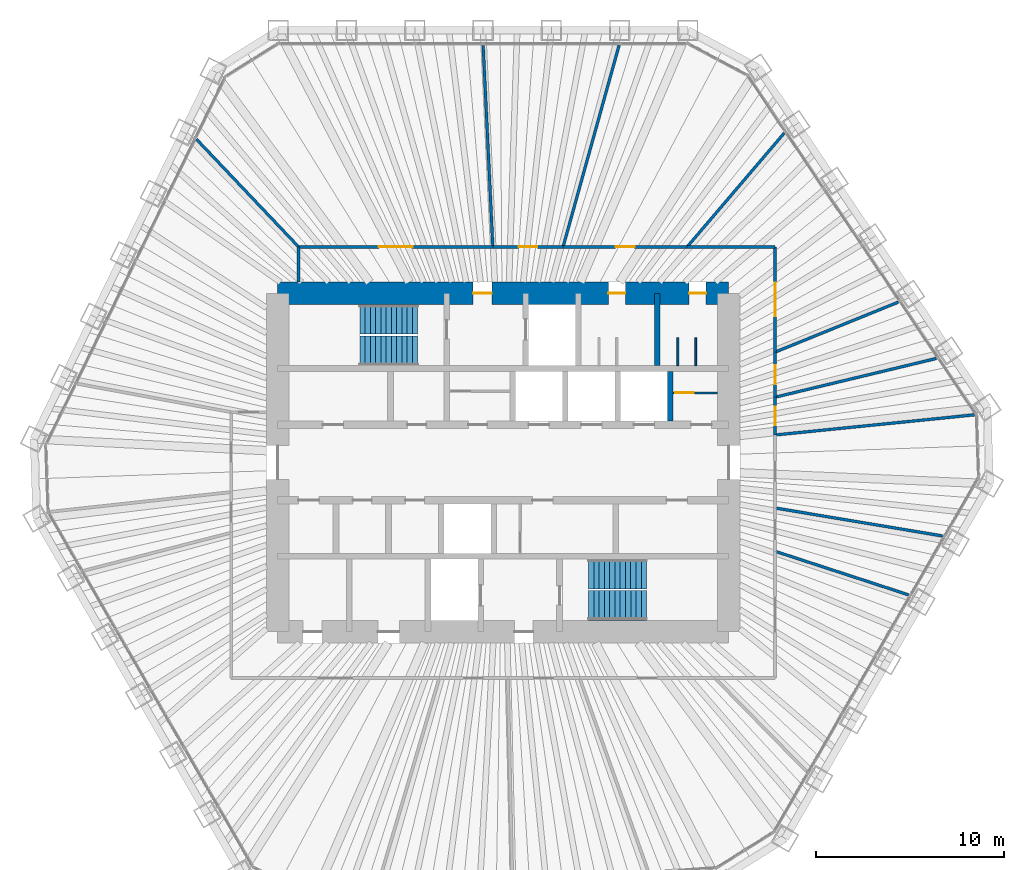
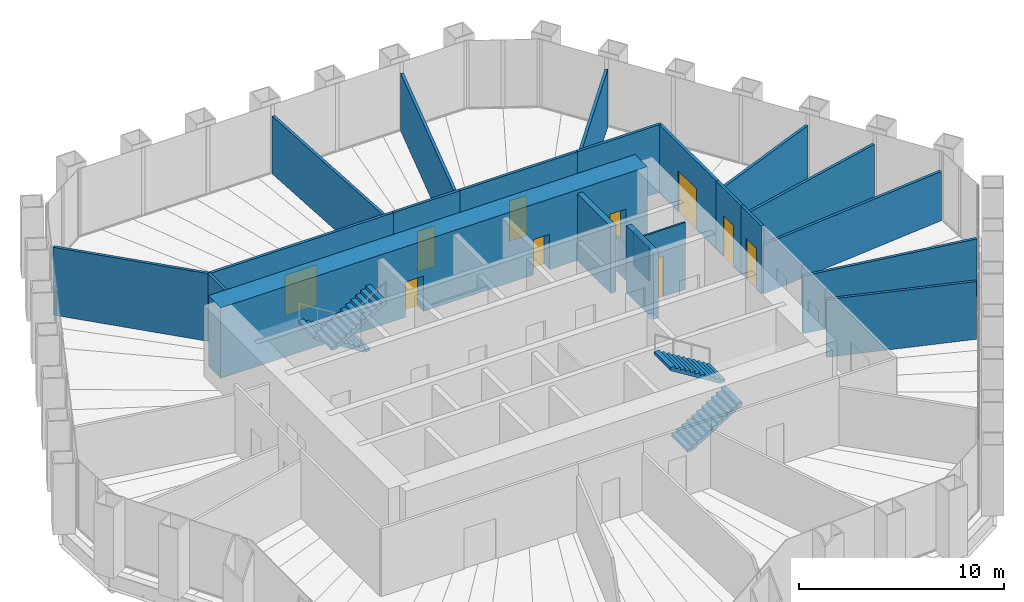
# One storey, part 12 of 13: 23 walls, 10 doors, 4 stair flights, 10 openings, 2 elements without a shape of their own.
"""IFC4 building model written with IfcOpenShell, lengths in metres."""

from ifc_helpers import new_model, si_unit, direction, frame, frame_2d, origin, place, context, subcontext, project, spatial, polyline, rectangle, outline, extrude, material, layer, layer_set, type_object, element, fill, aggregate, save


model = new_model("IFC4")

# Units and contexts
model_context = context("Model", 3, precision=1e-05, world=origin(), true_north=direction((0.0, 1.0)))
body_context = subcontext(model_context, "Body", "Model", "MODEL_VIEW")
ifc_project = project(units=[si_unit("LENGTHUNIT", "METRE"), si_unit("AREAUNIT", "SQUARE_METRE"), si_unit("VOLUMEUNIT", "CUBIC_METRE"), si_unit("PLANEANGLEUNIT", "RADIAN"), si_unit("MASSUNIT", "GRAM", prefix="KILO")], contexts=[model_context])

# Site, building, storey
site_placement = place(None, origin())
site = spatial("IfcSite", under=ifc_project, at=site_placement, CompositionType="ELEMENT")
building_placement = place(site_placement, origin())
building = spatial("IfcBuilding", under=site, at=building_placement, Name="Qingtian Harvest Tower", CompositionType="ELEMENT")
storey_placement = place(building_placement, frame((0.0, 0.0, 209.800048828125)))
storey = spatial("IfcBuildingStorey", under=building, at=storey_placement, Name="L45", CompositionType="ELEMENT", Elevation=209.800048828125)

# Walls
ifc_material_1 = material(Name="Precast concrete shaft panel", Category="concrete")
ifc_layer_1 = layer(ifc_material_1, 0.300048828125)
ifc_layer_set_1 = layer_set([ifc_layer_1], Name="Core shaft partition SW1 300")
wall_type_1 = type_object("IfcWallType", Name="Core shaft partition SW1 300", PredefinedType="PARTITIONING", material=ifc_layer_set_1)
wall_1_placement = place(storey_placement, frame((8.199951171875, 5.14990234375, 0.0), z_axis=(0.0, 0.0, 1.0), x_axis=(0.0, 1.0, 0.0)))
element("IfcWall", 1, at=wall_1_placement, inside=storey, type_object=wall_type_1, Name="Core shaft partition XN4 L45", PredefinedType="PARTITIONING", context=body_context, shape_type="SweptSolid", body=[
    extrude(rectangle(XDim=3.85009765625, YDim=0.300048828125, at=frame_2d((1.925048828125, 0.0))), origin(), (0.0, 0.0, 1.0), 3.97998046875),
])
wall_2_placement = place(storey_placement, frame((8.89990234375, 2.199951171875, 0.0), z_axis=(0.0, 0.0, 1.0), x_axis=(0.0, 1.0, 0.0)))
element("IfcWall", 2, at=wall_2_placement, inside=storey, type_object=wall_type_1, Name="Core shaft partition XA6 L45", PredefinedType="PARTITIONING", context=body_context, shape_type="SweptSolid", body=[
    extrude(rectangle(XDim=2.650146484375, YDim=0.300048828125, at=frame_2d((1.3251953125, 0.0))), origin(), (0.0, 0.0, 1.0), 3.97998046875),
])

# Wall, openings, doors
ifc_material_2 = material(Name="Concrete fc' 70 MPa", Category="concrete")
ifc_layer_2 = layer(ifc_material_2, 1.199951171875)
ifc_layer_set_2 = layer_set([ifc_layer_2], Name="Core wall RC2 1200")
wall_type_2 = type_object("IfcWallType", Name="Core wall RC2 1200", PredefinedType="SHEAR", material=ifc_layer_set_2)
wall_3_placement = place(storey_placement, frame((-12.0, 9.0, 0.0), z_axis=(0.0, 0.0, 1.0), x_axis=(1.0, 0.0, 0.0)))
wall_3 = element("IfcWall", 3, at=wall_3_placement, inside=storey, type_object=wall_type_2, Name="Core wall CN L45", PredefinedType="SHEAR", context=body_context, shape_type="SweptSolid", body=[
    extrude(rectangle(XDim=24.0, YDim=1.199951171875, at=frame_2d((12.0, 0.0))), origin(), (0.0, 0.0, 1.0), 4.199951171875),
])
opening_1_placement = place(wall_3_placement, frame((10.39990234375, 0.0, 0.0)))
opening_1 = element("IfcOpeningElement", 4, at=opening_1_placement, cuts=wall_3, Name="Opening FD1", PredefinedType="OPENING", context=body_context, shape_type="SweptSolid", body=[
    extrude(rectangle(XDim=1.0, YDim=2.10009765625, at=frame_2d((0.5, 1.050048828125))), frame((0.0, 0.60986328125, 0.0), z_axis=(0.0, -1.0, 0.0), x_axis=(1.0, 0.0, 0.0)), (0.0, 0.0, 1.0), 1.219970703125),
])
opening_2_placement = place(wall_3_placement, frame((17.60009765625, 0.0, 0.0)))
opening_2 = element("IfcOpeningElement", 5, at=opening_2_placement, cuts=wall_3, Name="Opening D1", PredefinedType="OPENING", context=body_context, shape_type="SweptSolid", body=[
    extrude(rectangle(XDim=0.89990234375, YDim=2.10009765625, at=frame_2d((0.449951171875, 1.050048828125))), frame((0.0, 0.60986328125, 0.0), z_axis=(0.0, -1.0, 0.0), x_axis=(1.0, 0.0, 0.0)), (0.0, 0.0, 1.0), 1.219970703125),
])
opening_3_placement = place(wall_3_placement, frame((21.89990234375, 0.0, 0.0)))
opening_3 = element("IfcOpeningElement", 6, at=opening_3_placement, cuts=wall_3, Name="Opening D1", PredefinedType="OPENING", context=body_context, shape_type="SweptSolid", body=[
    extrude(rectangle(XDim=0.89990234375, YDim=2.10009765625, at=frame_2d((0.449951171875, 1.050048828125))), frame((0.0, 0.60986328125, 0.0), z_axis=(0.0, -1.0, 0.0), x_axis=(1.0, 0.0, 0.0)), (0.0, 0.0, 1.0), 1.219970703125),
])
ifc_material_3 = material(Name="Steel-faced door leaf", Category="steel")
door_type_1 = type_object("IfcDoorType", Name="Fire door FD1 single 1 HR", OperationType="SINGLE_SWING_LEFT", PredefinedType="DOOR", material=ifc_material_3)
door_1_placement = place(opening_1_placement, origin())
door_1 = element("IfcDoor", 7, at=door_1_placement, inside=storey, type_object=door_type_1, Name="V1 door L45", OperationType="SINGLE_SWING_LEFT", OverallHeight=2.10009765625, OverallWidth=1.0, PredefinedType="DOOR", context=body_context, shape_type="SweptSolid", body=[
    extrude(rectangle(XDim=1.0, YDim=2.10009765625, at=frame_2d((0.5, 1.050048828125))), frame((0.0, 0.02490234375, 0.0), z_axis=(0.0, -1.0, 0.0), x_axis=(1.0, 0.0, 0.0)), (0.0, 0.0, 1.0), 0.050048828125),
])
fill(opening_1, door_1)
ifc_material_4 = material(Name="Laminated timber door leaf", Category="wood")
door_type_2 = type_object("IfcDoorType", Name="Toilet door D1 single", OperationType="SINGLE_SWING_LEFT", PredefinedType="DOOR", material=ifc_material_4)
door_2_placement = place(opening_2_placement, origin())
door_2 = element("IfcDoor", 8, at=door_2_placement, inside=storey, type_object=door_type_2, Name="WCM door L45", OperationType="SINGLE_SWING_LEFT", OverallHeight=2.10009765625, OverallWidth=0.89990234375, PredefinedType="DOOR", context=body_context, shape_type="SweptSolid", body=[
    extrude(rectangle(XDim=0.89990234375, YDim=2.10009765625, at=frame_2d((0.449951171875, 1.050048828125))), frame((0.0, 0.02490234375, 0.0), z_axis=(0.0, -1.0, 0.0), x_axis=(1.0, 0.0, 0.0)), (0.0, 0.0, 1.0), 0.050048828125),
])
fill(opening_2, door_2)
door_3_placement = place(opening_3_placement, origin())
door_3 = element("IfcDoor", 9, at=door_3_placement, inside=storey, type_object=door_type_2, Name="WCF door L45", OperationType="SINGLE_SWING_LEFT", OverallHeight=2.10009765625, OverallWidth=0.89990234375, PredefinedType="DOOR", context=body_context, shape_type="SweptSolid", body=[
    extrude(rectangle(XDim=0.89990234375, YDim=2.10009765625, at=frame_2d((0.449951171875, 1.050048828125))), frame((0.0, 0.02490234375, 0.0), z_axis=(0.0, -1.0, 0.0), x_axis=(1.0, 0.0, 0.0)), (0.0, 0.0, 1.0), 0.050048828125),
])
fill(opening_3, door_3)

# Walls
ifc_material_5 = material(Name="Gypsum board on steel studs", Category="steel")
ifc_layer_3 = layer(ifc_material_5, 0.14990234375)
ifc_layer_set_3 = layer_set([ifc_layer_3], Name="Partition PT1 150")
wall_type_3 = type_object("IfcWallType", Name="Partition PT1 150", PredefinedType="PARTITIONING", material=ifc_layer_set_3)
wall_4_placement = place(storey_placement, frame((-10.888671875, 9.60009765625, 0.0), z_axis=(0.0, 0.0, 1.0), x_axis=(0.0, 1.0, 0.0)))
element("IfcWall", 10, at=wall_4_placement, inside=storey, type_object=wall_type_3, Name="Workplace zone wall L45", PredefinedType="PARTITIONING", context=body_context, shape_type="SweptSolid", body=[
    extrude(rectangle(XDim=1.875, YDim=0.14990234375, at=frame_2d((0.9375, 0.0))), origin(), (0.0, 0.0, 1.0), 4.030029296875),
])
wall_5_placement = place(storey_placement, frame((-16.31884765625, 17.19775390625, 0.0), z_axis=(0.0, 0.0, 1.0), x_axis=(0.688326413955, -0.725401094466, 0.0)))
element("IfcWall", 11, at=wall_5_placement, inside=storey, type_object=wall_type_3, Name="Meeting room wall L45", PredefinedType="PARTITIONING", context=body_context, shape_type="SweptSolid", body=[
    extrude(rectangle(XDim=7.888916015625, YDim=0.14990234375, at=frame_2d((3.9443359375, 0.0))), origin(), (0.0, 0.0, 1.0), 4.030029296875),
])

# Wall, opening, door
wall_6_placement = place(storey_placement, frame((-10.888671875, 11.47509765625, 0.0), z_axis=(0.0, 0.0, 1.0), x_axis=(1.0, 0.0, 0.0)))
wall_6 = element("IfcWall", 12, at=wall_6_placement, inside=storey, type_object=wall_type_3, Name="Meeting room wall L45", PredefinedType="PARTITIONING", context=body_context, shape_type="SweptSolid", body=[
    extrude(rectangle(XDim=10.33740234375, YDim=0.14990234375, at=frame_2d((5.168701171875, 0.0))), origin(), (0.0, 0.0, 1.0), 4.030029296875),
])
opening_4_placement = place(wall_6_placement, frame((4.268798828125, 0.0, 0.0)))
opening_4 = element("IfcOpeningElement", 13, at=opening_4_placement, cuts=wall_6, Name="Opening D3", PredefinedType="OPENING", context=body_context, shape_type="SweptSolid", body=[
    extrude(rectangle(XDim=1.800048828125, YDim=2.39990234375, at=frame_2d((0.89990234375, 1.199951171875))), frame((0.0, 0.0849609375, 0.0), z_axis=(0.0, -1.0, 0.0), x_axis=(1.0, 0.0, 0.0)), (0.0, 0.0, 1.0), 0.169921875),
])
ifc_material_6 = material(Name="Laminated timber door leaf", Category="wood")
door_type_3 = type_object("IfcDoorType", Name="Room door D3 double", OperationType="DOUBLE_DOOR_DOUBLE_SWING", PredefinedType="DOOR", material=ifc_material_6)
door_4_placement = place(opening_4_placement, origin())
door_4 = element("IfcDoor", 14, at=door_4_placement, inside=storey, type_object=door_type_3, Name="Meeting room door L45", OperationType="DOUBLE_DOOR_DOUBLE_SWING", OverallHeight=2.39990234375, OverallWidth=1.800048828125, PredefinedType="DOOR", context=body_context, shape_type="SweptSolid", body=[
    extrude(rectangle(XDim=1.800048828125, YDim=2.39990234375, at=frame_2d((0.89990234375, 1.199951171875))), frame((0.0, 0.02490234375, 0.0), z_axis=(0.0, -1.0, 0.0), x_axis=(1.0, 0.0, 0.0)), (0.0, 0.0, 1.0), 0.050048828125),
])
fill(opening_4, door_4)

# Wall
wall_7_placement = place(storey_placement, frame((-1.066650390625, 22.2001953125, 0.0), z_axis=(0.0, 0.0, 1.0), x_axis=(0.047998335863, -0.998847415652, 0.0)))
element("IfcWall", 15, at=wall_7_placement, inside=storey, type_object=wall_type_3, Name="Focus room wall L45", PredefinedType="PARTITIONING", context=body_context, shape_type="SweptSolid", body=[
    extrude(rectangle(XDim=10.737548828125, YDim=0.14990234375, at=frame_2d((5.36865234375, 0.0))), origin(), (0.0, 0.0, 1.0), 3.429931640625),
])

# Wall, opening, door
wall_8_placement = place(storey_placement, frame((-0.55126953125, 11.47509765625, 0.0), z_axis=(0.0, 0.0, 1.0), x_axis=(1.0, 0.0, 0.0)))
wall_8 = element("IfcWall", 16, at=wall_8_placement, inside=storey, type_object=wall_type_3, Name="Focus room wall L45", PredefinedType="PARTITIONING", context=body_context, shape_type="SweptSolid", body=[
    extrude(rectangle(XDim=3.739501953125, YDim=0.14990234375, at=frame_2d((1.86962890625, 0.0))), origin(), (0.0, 0.0, 1.0), 4.030029296875),
])
opening_5_placement = place(wall_8_placement, frame((1.36962890625, 0.0, 0.0)))
opening_5 = element("IfcOpeningElement", 17, at=opening_5_placement, cuts=wall_8, Name="Opening D2", PredefinedType="OPENING", context=body_context, shape_type="SweptSolid", body=[
    extrude(rectangle(XDim=1.0, YDim=2.39990234375, at=frame_2d((0.5, 1.199951171875))), frame((0.0, 0.0849609375, 0.0), z_axis=(0.0, -1.0, 0.0), x_axis=(1.0, 0.0, 0.0)), (0.0, 0.0, 1.0), 0.169921875),
])
ifc_material_7 = material(Name="Laminated timber door leaf", Category="wood")
door_type_4 = type_object("IfcDoorType", Name="Room door D2 single", OperationType="SINGLE_SWING_LEFT", PredefinedType="DOOR", material=ifc_material_7)
door_5_placement = place(opening_5_placement, origin())
door_5 = element("IfcDoor", 18, at=door_5_placement, inside=storey, type_object=door_type_4, Name="Focus room door L45", OperationType="SINGLE_SWING_RIGHT", OverallHeight=2.39990234375, OverallWidth=1.0, PredefinedType="DOOR", context=body_context, shape_type="SweptSolid", body=[
    extrude(rectangle(XDim=1.0, YDim=2.39990234375, at=frame_2d((0.5, 1.199951171875))), frame((0.0, 0.02490234375, 0.0), z_axis=(0.0, -1.0, 0.0), x_axis=(1.0, 0.0, 0.0)), (0.0, 0.0, 1.0), 0.050048828125),
])
fill(opening_5, door_5)

# Wall
wall_9_placement = place(storey_placement, frame((6.1689453125, 22.20361328125, 0.0), z_axis=(0.0, 0.0, 1.0), x_axis=(-0.26769135876, -0.963504715321, 0.0)))
element("IfcWall", 19, at=wall_9_placement, inside=storey, type_object=wall_type_3, Name="Pantry wall L45", PredefinedType="PARTITIONING", context=body_context, shape_type="SweptSolid", body=[
    extrude(rectangle(XDim=11.134765625, YDim=0.14990234375, at=frame_2d((5.5673828125, 0.0))), origin(), (0.0, 0.0, 1.0), 3.429931640625),
])

# Wall, opening, door
wall_10_placement = place(storey_placement, frame((3.188232421875, 11.47509765625, 0.0), z_axis=(0.0, 0.0, 1.0), x_axis=(1.0, 0.0, 0.0)))
wall_10 = element("IfcWall", 20, at=wall_10_placement, inside=storey, type_object=wall_type_3, Name="Pantry wall L45", PredefinedType="PARTITIONING", context=body_context, shape_type="SweptSolid", body=[
    extrude(rectangle(XDim=6.602783203125, YDim=0.14990234375, at=frame_2d((3.30126953125, 0.0))), origin(), (0.0, 0.0, 1.0), 4.030029296875),
])
opening_6_placement = place(wall_10_placement, frame((2.801513671875, 0.0, 0.0)))
opening_6 = element("IfcOpeningElement", 21, at=opening_6_placement, cuts=wall_10, Name="Opening D2", PredefinedType="OPENING", context=body_context, shape_type="SweptSolid", body=[
    extrude(rectangle(XDim=1.0, YDim=2.39990234375, at=frame_2d((0.5, 1.199951171875))), frame((0.0, 0.0849609375, 0.0), z_axis=(0.0, -1.0, 0.0), x_axis=(1.0, 0.0, 0.0)), (0.0, 0.0, 1.0), 0.169921875),
])
door_6_placement = place(opening_6_placement, origin())
door_6 = element("IfcDoor", 22, at=door_6_placement, inside=storey, type_object=door_type_4, Name="Pantry door L45", OperationType="SINGLE_SWING_RIGHT", OverallHeight=2.39990234375, OverallWidth=1.0, PredefinedType="DOOR", context=body_context, shape_type="SweptSolid", body=[
    extrude(rectangle(XDim=1.0, YDim=2.39990234375, at=frame_2d((0.5, 1.199951171875))), frame((0.0, 0.02490234375, 0.0), z_axis=(0.0, -1.0, 0.0), x_axis=(1.0, 0.0, 0.0)), (0.0, 0.0, 1.0), 0.050048828125),
])
fill(opening_6, door_6)

# Walls
wall_11_placement = place(storey_placement, frame((14.9580078125, 17.530517578125, 0.0), z_axis=(0.0, 0.0, 1.0), x_axis=(-0.649097500837, -0.760705221756, 0.0)))
element("IfcWall", 23, at=wall_11_placement, inside=storey, type_object=wall_type_3, Name="Workplace zone wall L45", PredefinedType="PARTITIONING", context=body_context, shape_type="SweptSolid", body=[
    extrude(rectangle(XDim=7.960205078125, YDim=0.14990234375, at=frame_2d((3.97998046875, 0.0))), origin(), (0.0, 0.0, 1.0), 3.429931640625),
])
wall_12_placement = place(storey_placement, frame((9.791015625, 11.47509765625, 0.0), z_axis=(0.0, 0.0, 1.0), x_axis=(1.0, 0.0, 0.0)))
element("IfcWall", 24, at=wall_12_placement, inside=storey, type_object=wall_type_3, Name="Workplace zone wall L45", PredefinedType="PARTITIONING", context=body_context, shape_type="SweptSolid", body=[
    extrude(rectangle(XDim=4.68408203125, YDim=0.14990234375, at=frame_2d((2.342041015625, 0.0))), origin(), (0.0, 0.0, 1.0), 4.030029296875),
])

# Wall, opening, door
wall_13_placement = place(storey_placement, frame((14.47509765625, 11.47509765625, 0.0), z_axis=(0.0, 0.0, 1.0), x_axis=(0.0, -1.0, 0.0)))
wall_13 = element("IfcWall", 25, at=wall_13_placement, inside=storey, type_object=wall_type_3, Name="Workplace zone wall L45", PredefinedType="PARTITIONING", context=body_context, shape_type="SweptSolid", body=[
    extrude(rectangle(XDim=5.601318359375, YDim=0.14990234375, at=frame_2d((2.80078125, 0.0))), origin(), (0.0, 0.0, 1.0), 4.030029296875),
])
opening_7_placement = place(wall_13_placement, frame((1.900634765625, 0.0, 0.0)))
opening_7 = element("IfcOpeningElement", 26, at=opening_7_placement, cuts=wall_13, Name="Opening D3", PredefinedType="OPENING", context=body_context, shape_type="SweptSolid", body=[
    extrude(rectangle(XDim=1.800048828125, YDim=2.39990234375, at=frame_2d((0.89990234375, 1.199951171875))), frame((0.0, 0.0849609375, 0.0), z_axis=(0.0, -1.0, 0.0), x_axis=(1.0, 0.0, 0.0)), (0.0, 0.0, 1.0), 0.169921875),
])
door_7_placement = place(opening_7_placement, origin())
door_7 = element("IfcDoor", 27, at=door_7_placement, inside=storey, type_object=door_type_3, Name="Workplace zone door L45", OperationType="DOUBLE_DOOR_DOUBLE_SWING", OverallHeight=2.39990234375, OverallWidth=1.800048828125, PredefinedType="DOOR", context=body_context, shape_type="SweptSolid", body=[
    extrude(rectangle(XDim=1.800048828125, YDim=2.39990234375, at=frame_2d((0.89990234375, 1.199951171875))), frame((0.0, 0.02490234375, 0.0), z_axis=(0.0, -1.0, 0.0), x_axis=(1.0, 0.0, 0.0)), (0.0, 0.0, 1.0), 0.050048828125),
])
fill(opening_7, door_7)

# Wall
wall_14_placement = place(storey_placement, frame((21.02587890625, 8.531982421875, 0.0), z_axis=(0.0, 0.0, 1.0), x_axis=(-0.926617028548, -0.376006492503, 0.0)))
element("IfcWall", 28, at=wall_14_placement, inside=storey, type_object=wall_type_3, Name="Store room wall L45", PredefinedType="PARTITIONING", context=body_context, shape_type="SweptSolid", body=[
    extrude(rectangle(XDim=7.069580078125, YDim=0.14990234375, at=frame_2d((3.53466796875, 0.0))), origin(), (0.0, 0.0, 1.0), 3.429931640625),
])

# Wall, opening, door
wall_15_placement = place(storey_placement, frame((14.47509765625, 5.873779296875, 0.0), z_axis=(0.0, 0.0, 1.0), x_axis=(0.0, -1.0, 0.0)))
wall_15 = element("IfcWall", 29, at=wall_15_placement, inside=storey, type_object=wall_type_3, Name="Store room wall L45", PredefinedType="PARTITIONING", context=body_context, shape_type="SweptSolid", body=[
    extrude(rectangle(XDim=2.399169921875, YDim=0.14990234375, at=frame_2d((1.19970703125, 0.0))), origin(), (0.0, 0.0, 1.0), 4.030029296875),
])
opening_8_placement = place(wall_15_placement, frame((0.699462890625, 0.0, 0.0)))
opening_8 = element("IfcOpeningElement", 30, at=opening_8_placement, cuts=wall_15, Name="Opening D2", PredefinedType="OPENING", context=body_context, shape_type="SweptSolid", body=[
    extrude(rectangle(XDim=1.0, YDim=2.39990234375, at=frame_2d((0.5, 1.199951171875))), frame((0.0, 0.0849609375, 0.0), z_axis=(0.0, -1.0, 0.0), x_axis=(1.0, 0.0, 0.0)), (0.0, 0.0, 1.0), 0.169921875),
])
door_8_placement = place(opening_8_placement, origin())
door_8 = element("IfcDoor", 31, at=door_8_placement, inside=storey, type_object=door_type_4, Name="Store room door L45", OperationType="SINGLE_SWING_RIGHT", OverallHeight=2.39990234375, OverallWidth=1.0, PredefinedType="DOOR", context=body_context, shape_type="SweptSolid", body=[
    extrude(rectangle(XDim=1.0, YDim=2.39990234375, at=frame_2d((0.5, 1.199951171875))), frame((0.0, 0.02490234375, 0.0), z_axis=(0.0, -1.0, 0.0), x_axis=(1.0, 0.0, 0.0)), (0.0, 0.0, 1.0), 0.050048828125),
])
fill(opening_8, door_8)

# Wall
wall_16_placement = place(storey_placement, frame((23.052978515625, 5.53369140625, 0.0), z_axis=(0.0, 0.0, 1.0), x_axis=(-0.972377252501, -0.233414821335, 0.0)))
element("IfcWall", 32, at=wall_16_placement, inside=storey, type_object=wall_type_3, Name="Private office wall L45", PredefinedType="PARTITIONING", context=body_context, shape_type="SweptSolid", body=[
    extrude(rectangle(XDim=8.821533203125, YDim=0.14990234375, at=frame_2d((4.41064453125, 0.0))), origin(), (0.0, 0.0, 1.0), 3.429931640625),
])

# Wall, opening, door
wall_17_placement = place(storey_placement, frame((14.47509765625, 3.474609375, 0.0), z_axis=(0.0, 0.0, 1.0), x_axis=(0.0, -1.0, 0.0)))
wall_17 = element("IfcWall", 33, at=wall_17_placement, inside=storey, type_object=wall_type_3, Name="Private office wall L45", PredefinedType="PARTITIONING", context=body_context, shape_type="SweptSolid", body=[
    extrude(rectangle(XDim=2.011962890625, YDim=0.14990234375, at=frame_2d((1.005859375, 0.0))), origin(), (0.0, 0.0, 1.0), 4.030029296875),
])
opening_9_placement = place(wall_17_placement, frame((0.505859375, 0.0, 0.0)))
opening_9 = element("IfcOpeningElement", 34, at=opening_9_placement, cuts=wall_17, Name="Opening D2", PredefinedType="OPENING", context=body_context, shape_type="SweptSolid", body=[
    extrude(rectangle(XDim=1.0, YDim=2.39990234375, at=frame_2d((0.5, 1.199951171875))), frame((0.0, 0.0849609375, 0.0), z_axis=(0.0, -1.0, 0.0), x_axis=(1.0, 0.0, 0.0)), (0.0, 0.0, 1.0), 0.169921875),
])
door_9_placement = place(opening_9_placement, origin())
door_9 = element("IfcDoor", 35, at=door_9_placement, inside=storey, type_object=door_type_4, Name="Private office door L45", OperationType="SINGLE_SWING_RIGHT", OverallHeight=2.39990234375, OverallWidth=1.0, PredefinedType="DOOR", context=body_context, shape_type="SweptSolid", body=[
    extrude(rectangle(XDim=1.0, YDim=2.39990234375, at=frame_2d((0.5, 1.199951171875))), frame((0.0, 0.02490234375, 0.0), z_axis=(0.0, -1.0, 0.0), x_axis=(1.0, 0.0, 0.0)), (0.0, 0.0, 1.0), 0.050048828125),
])
fill(opening_9, door_9)

# Walls
wall_18_placement = place(storey_placement, frame((25.082763671875, 2.53466796875, 0.0), z_axis=(0.0, 0.0, 1.0), x_axis=(-0.994932122767, -0.10054884925, 0.0)))
element("IfcWall", 36, at=wall_18_placement, inside=storey, type_object=wall_type_3, Name="Private office wall L45", PredefinedType="PARTITIONING", context=body_context, shape_type="SweptSolid", body=[
    extrude(rectangle(XDim=10.66162109375, YDim=0.14990234375, at=frame_2d((5.330810546875, 0.0))), origin(), (0.0, 0.0, 1.0), 2.929931640625),
])
wall_19_placement = place(storey_placement, frame((23.383056640625, -3.912109375, 0.0), z_axis=(0.0, 0.0, 1.0), x_axis=(-0.986293651891, 0.164999491631, 0.0)))
element("IfcWall", 37, at=wall_19_placement, inside=storey, type_object=wall_type_3, Name="Private office wall L45", PredefinedType="PARTITIONING", context=body_context, shape_type="SweptSolid", body=[
    extrude(rectangle(XDim=9.03173828125, YDim=0.14990234375, at=frame_2d((4.515869140625, 0.0))), origin(), (0.0, 0.0, 1.0), 3.429931640625),
])
wall_20_placement = place(storey_placement, frame((21.56982421875, -7.04443359375, 0.0), z_axis=(0.0, 0.0, 1.0), x_axis=(-0.950585953502, 0.310461503258, 0.0)))
element("IfcWall", 38, at=wall_20_placement, inside=storey, type_object=wall_type_3, Name="Open plan office wall L45", PredefinedType="PARTITIONING", context=body_context, shape_type="SweptSolid", body=[
    extrude(rectangle(XDim=7.463623046875, YDim=0.14990234375, at=frame_2d((3.73193359375, 0.0))), origin(), (0.0, 0.0, 1.0), 3.429931640625),
])

# Wall, opening, door
ifc_material_8 = material(Name="Concrete block partition", Category="concrete")
ifc_layer_4 = layer(ifc_material_8, 0.10009765625)
ifc_layer_set_4 = layer_set([ifc_layer_4], Name="Store partition PT3 100")
wall_type_4 = type_object("IfcWallType", Name="Store partition PT3 100", PredefinedType="PARTITIONING", material=ifc_layer_set_4)
wall_21_placement = place(storey_placement, frame((9.050048828125, 3.699951171875, 0.0), z_axis=(0.0, 0.0, 1.0), x_axis=(1.0, 0.0, 0.0)))
wall_21 = element("IfcWall", 39, at=wall_21_placement, inside=storey, type_object=wall_type_4, Name="Filter plant room wall L45", PredefinedType="PARTITIONING", context=body_context, shape_type="SweptSolid", body=[
    extrude(rectangle(XDim=2.349853515625, YDim=0.10009765625, at=frame_2d((1.1748046875, 0.0))), origin(), (0.0, 0.0, 1.0), 3.97998046875),
])
opening_10_placement = place(wall_21_placement, frame((0.10009765625, 0.0, 0.0)))
opening_10 = element("IfcOpeningElement", 40, at=opening_10_placement, cuts=wall_21, Name="Opening D2", PredefinedType="OPENING", context=body_context, shape_type="SweptSolid", body=[
    extrude(rectangle(XDim=1.0, YDim=2.39990234375, at=frame_2d((0.5, 1.199951171875))), frame((0.0, 0.06005859375, 0.0), z_axis=(0.0, -1.0, 0.0), x_axis=(1.0, 0.0, 0.0)), (0.0, 0.0, 1.0), 0.1201171875),
])
door_10_placement = place(opening_10_placement, origin())
door_10 = element("IfcDoor", 41, at=door_10_placement, inside=storey, type_object=door_type_4, Name="Filter plant room door L45", OperationType="SINGLE_SWING_LEFT", OverallHeight=2.39990234375, OverallWidth=1.0, PredefinedType="DOOR", context=body_context, shape_type="SweptSolid", body=[
    extrude(rectangle(XDim=1.0, YDim=2.39990234375, at=frame_2d((0.5, 1.199951171875))), frame((0.0, 0.02490234375, 0.0), z_axis=(0.0, -1.0, 0.0), x_axis=(1.0, 0.0, 0.0)), (0.0, 0.0, 1.0), 0.050048828125),
])
fill(opening_10, door_10)

# Walls
ifc_material_9 = material(Name="Compact laminate cubicle partition", Category="plastic")
ifc_layer_5 = layer(ifc_material_9, 0.10009765625)
ifc_layer_set_5 = layer_set([ifc_layer_5], Name="WC cubicle partition WP1 100")
wall_type_5 = type_object("IfcWallType", Name="WC cubicle partition WP1 100", PredefinedType="PARTITIONING", material=ifc_layer_set_5)
for number, where, z_axis, x_axis, name in (
    (42, (9.300048828125, 5.14990234375, 0.0), (0.0, 0.0, 1.0), (0.0, 1.0, 0.0), "WC cubicle partition WCF L45"),
    (43, (10.25, 5.14990234375, 0.0), (0.0, 0.0, 1.0), (0.0, 1.0, 0.0), "WC cubicle partition WCF L45"),
):
    element("IfcWall", number, at=place(storey_placement, frame(where, z_axis=z_axis, x_axis=x_axis)), inside=storey, type_object=wall_type_5, Name=name, PredefinedType="PARTITIONING", context=body_context, shape_type="SweptSolid", body=[
        extrude(rectangle(XDim=1.5, YDim=0.10009765625, at=frame_2d((0.75, 0.0))), origin(), (0.0, 0.0, 1.0), 2.099853515625),
    ])

# Stair, stair flights
ifc_material_10 = material(Name="Concrete fc' 35 MPa", Category="concrete")
stair_type = type_object("IfcStairType", Name="Special stair ST4 4200", PredefinedType="HALF_TURN_STAIR", material=ifc_material_10)
stair_1_placement = place(storey_placement, origin())
stair_1 = element("IfcStair", 44, at=stair_1_placement, inside=storey, type_object=stair_type, Name="Special stair S1 L45", PredefinedType="HALF_TURN_STAIR")
ifc_material_11 = material(Name="Concrete fc' 35 MPa", Category="concrete")
stair_flight_type = type_object("IfcStairFlightType", Name="Stair flight SF4 4200", PredefinedType="STRAIGHT", material=ifc_material_11)
stair_flight_1_placement = place(storey_placement, frame((-4.550048828125, 7.612548828125, 0.0), z_axis=(0.0, 0.0, 1.0), x_axis=(-1.0, 0.0, 0.0)))
stair_flight_1 = element("IfcStairFlight", 45, at=stair_flight_1_placement, type_object=stair_flight_type, Name="S1 flight 1", NumberOfRisers=12, NumberOfTreads=11, PredefinedType="STRAIGHT", RiserHeight=0.175, TreadLength=0.28, context=body_context, shape_type="SweptSolid", body=[
    extrude(outline(polyline([(0.0, 0.0), (0.0, 0.175048828125), (0.280029296875, 0.175048828125), (0.280029296875, 0.35009765625), (0.56005859375, 0.35009765625), (0.56005859375, 0.52490234375), (0.840087890625, 0.52490234375), (0.840087890625, 0.699951171875), (1.1201171875, 0.699951171875), (1.1201171875, 0.875), (1.39990234375, 0.875), (1.39990234375, 1.050048828125), (1.679931640625, 1.050048828125), (1.679931640625, 1.22509765625), (1.9599609375, 1.22509765625), (1.9599609375, 1.39990234375), (2.239990234375, 1.39990234375), (2.239990234375, 1.574951171875), (2.52001953125, 1.574951171875), (2.52001953125, 1.75), (2.800048828125, 1.75), (2.800048828125, 1.925048828125), (3.080078125, 1.925048828125), (3.080078125, 2.10009765625), (3.080078125, 1.748291015625), (0.28271484375, 0.0), (0.0, 0.0)])), frame((0.0, 0.78759765625, 0.0), z_axis=(0.0, -1.0, 0.0), x_axis=(1.0, 0.0, 0.0)), (0.0, 0.0, 1.0), 1.574951171875),
])
stair_flight_2_placement = place(storey_placement, frame((-7.6298828125, 5.9375, 2.099853515625), z_axis=(0.0, 0.0, 1.0), x_axis=(1.0, 0.0, 0.0)))
stair_flight_2 = element("IfcStairFlight", 46, at=stair_flight_2_placement, type_object=stair_flight_type, Name="S1 flight 2", NumberOfRisers=12, NumberOfTreads=11, PredefinedType="STRAIGHT", RiserHeight=0.175, TreadLength=0.28, context=body_context, shape_type="SweptSolid", body=[
    extrude(outline(polyline([(0.0, 0.0), (0.0, 0.175048828125), (0.280029296875, 0.175048828125), (0.280029296875, 0.35009765625), (0.56005859375, 0.35009765625), (0.56005859375, 0.52490234375), (0.840087890625, 0.52490234375), (0.840087890625, 0.699951171875), (1.1201171875, 0.699951171875), (1.1201171875, 0.875), (1.39990234375, 0.875), (1.39990234375, 1.050048828125), (1.679931640625, 1.050048828125), (1.679931640625, 1.22509765625), (1.9599609375, 1.22509765625), (1.9599609375, 1.39990234375), (2.239990234375, 1.39990234375), (2.239990234375, 1.574951171875), (2.52001953125, 1.574951171875), (2.52001953125, 1.75), (2.800048828125, 1.75), (2.800048828125, 1.925048828125), (3.080078125, 1.925048828125), (3.080078125, 2.10009765625), (3.080078125, 1.748291015625), (0.28271484375, 0.0), (0.0, 0.0)])), frame((0.0, 0.78759765625, 0.0), z_axis=(0.0, -1.0, 0.0), x_axis=(1.0, 0.0, 0.0)), (0.0, 0.0, 1.0), 1.574951171875),
])
aggregate(stair_1, [stair_flight_1, stair_flight_2])

stair_2_placement = place(storey_placement, origin())
stair_2 = element("IfcStair", 47, at=stair_2_placement, inside=storey, type_object=stair_type, Name="Special stair S2 L45", PredefinedType="HALF_TURN_STAIR")
stair_flight_3_placement = place(storey_placement, frame((4.550048828125, -7.612548828125, 0.0), z_axis=(0.0, 0.0, 1.0), x_axis=(1.0, 0.0, 0.0)))
stair_flight_3 = element("IfcStairFlight", 48, at=stair_flight_3_placement, type_object=stair_flight_type, Name="S2 flight 1", NumberOfRisers=12, NumberOfTreads=11, PredefinedType="STRAIGHT", RiserHeight=0.175, TreadLength=0.28, context=body_context, shape_type="SweptSolid", body=[
    extrude(outline(polyline([(0.0, 0.0), (0.0, 0.175048828125), (0.280029296875, 0.175048828125), (0.280029296875, 0.35009765625), (0.56005859375, 0.35009765625), (0.56005859375, 0.52490234375), (0.840087890625, 0.52490234375), (0.840087890625, 0.699951171875), (1.1201171875, 0.699951171875), (1.1201171875, 0.875), (1.39990234375, 0.875), (1.39990234375, 1.050048828125), (1.679931640625, 1.050048828125), (1.679931640625, 1.22509765625), (1.9599609375, 1.22509765625), (1.9599609375, 1.39990234375), (2.239990234375, 1.39990234375), (2.239990234375, 1.574951171875), (2.52001953125, 1.574951171875), (2.52001953125, 1.75), (2.800048828125, 1.75), (2.800048828125, 1.925048828125), (3.080078125, 1.925048828125), (3.080078125, 2.10009765625), (3.080078125, 1.748291015625), (0.28271484375, 0.0), (0.0, 0.0)])), frame((0.0, 0.78759765625, 0.0), z_axis=(0.0, -1.0, 0.0), x_axis=(1.0, 0.0, 0.0)), (0.0, 0.0, 1.0), 1.574951171875),
])
stair_flight_4_placement = place(storey_placement, frame((7.6298828125, -5.9375, 2.099853515625), z_axis=(0.0, 0.0, 1.0), x_axis=(-1.0, 0.0, 0.0)))
stair_flight_4 = element("IfcStairFlight", 49, at=stair_flight_4_placement, type_object=stair_flight_type, Name="S2 flight 2", NumberOfRisers=12, NumberOfTreads=11, PredefinedType="STRAIGHT", RiserHeight=0.175, TreadLength=0.28, context=body_context, shape_type="SweptSolid", body=[
    extrude(outline(polyline([(0.0, 0.0), (0.0, 0.175048828125), (0.280029296875, 0.175048828125), (0.280029296875, 0.35009765625), (0.56005859375, 0.35009765625), (0.56005859375, 0.52490234375), (0.840087890625, 0.52490234375), (0.840087890625, 0.699951171875), (1.1201171875, 0.699951171875), (1.1201171875, 0.875), (1.39990234375, 0.875), (1.39990234375, 1.050048828125), (1.679931640625, 1.050048828125), (1.679931640625, 1.22509765625), (1.9599609375, 1.22509765625), (1.9599609375, 1.39990234375), (2.239990234375, 1.39990234375), (2.239990234375, 1.574951171875), (2.52001953125, 1.574951171875), (2.52001953125, 1.75), (2.800048828125, 1.75), (2.800048828125, 1.925048828125), (3.080078125, 1.925048828125), (3.080078125, 2.10009765625), (3.080078125, 1.748291015625), (0.28271484375, 0.0), (0.0, 0.0)])), frame((0.0, 0.78759765625, 0.0), z_axis=(0.0, -1.0, 0.0), x_axis=(1.0, 0.0, 0.0)), (0.0, 0.0, 1.0), 1.574951171875),
])
aggregate(stair_2, [stair_flight_3, stair_flight_4])

save(model, "model.ifc")
